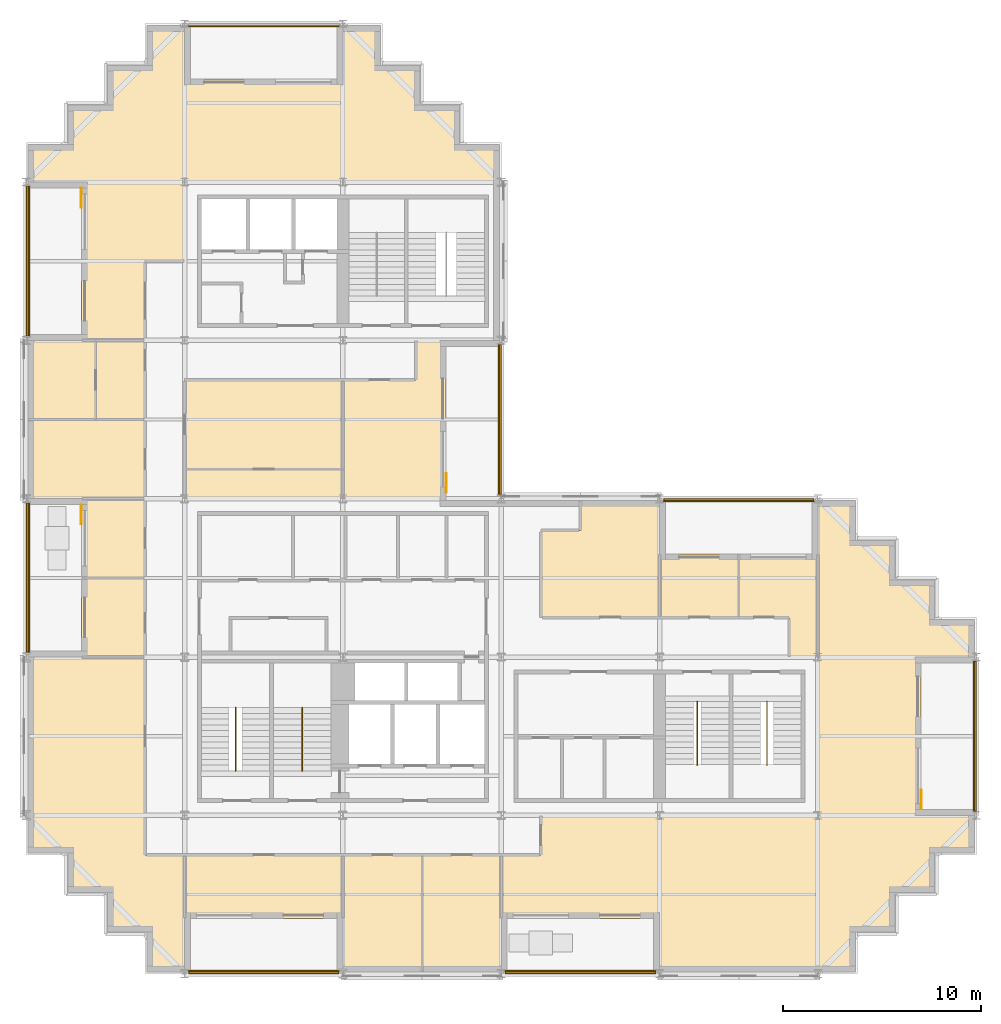
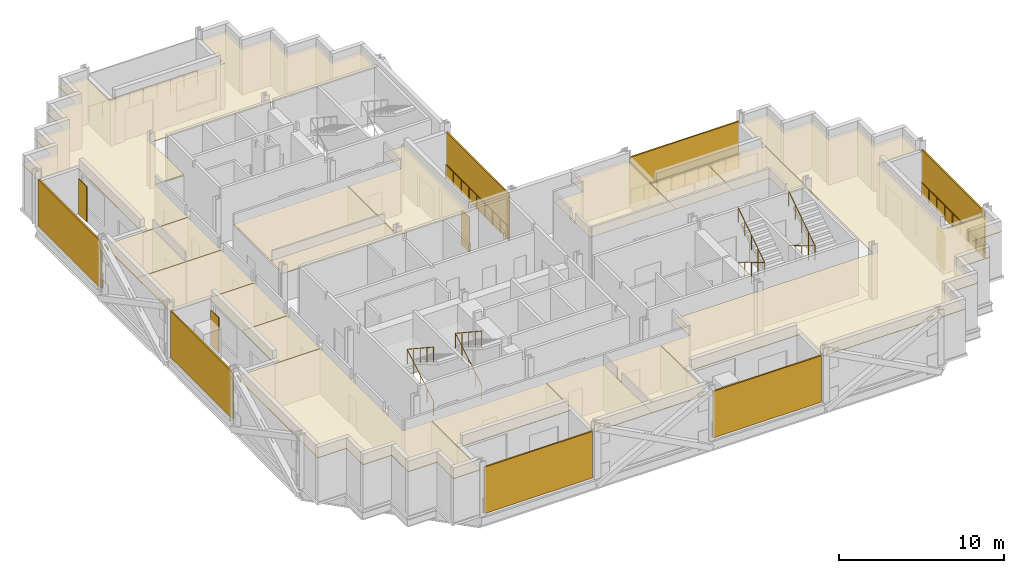
# One storey, part 10 of 12: 17 coverings, 12 railings, 11 shading devices.
"""IFC4 building model written with IfcOpenShell, lengths in metres."""

from ifc_helpers import new_model, si_unit, direction, frame, origin, origin_2d, place, context, subcontext, project, spatial, polyline, rectangle, circle, outline, extrude, material, layer, layer_set, type_object, element, save


model = new_model("IFC4")

# Units and contexts
model_context = context("Model", 3, precision=1e-05, world=origin(), true_north=direction((0.0, 1.0)))
body_context = subcontext(model_context, "Body", "Model", "MODEL_VIEW")
ifc_project = project(units=[si_unit("LENGTHUNIT", "METRE"), si_unit("AREAUNIT", "SQUARE_METRE"), si_unit("VOLUMEUNIT", "CUBIC_METRE"), si_unit("PLANEANGLEUNIT", "RADIAN"), si_unit("MASSUNIT", "GRAM", prefix="KILO")], contexts=[model_context])

# Site, building, storey
site_placement = place(None, origin())
site = spatial("IfcSite", under=ifc_project, at=site_placement, CompositionType="ELEMENT")
building_placement = place(site_placement, origin())
building = spatial("IfcBuilding", under=site, at=building_placement, Name="Immortelle Media Tower", CompositionType="ELEMENT")
storey_placement = place(building_placement, frame((0.0, 0.0, 149.39990234375)))
storey = spatial("IfcBuildingStorey", under=building, at=storey_placement, Name="L30", CompositionType="ELEMENT", Elevation=149.39990234375)

# Railings
ifc_material_1 = material(Name="Powder-coated aluminium fretwork panel, laminated glass backing", Category="aluminium")
railing_type_1 = type_object("IfcRailingType", Name="Fretwork balustrade 1100", PredefinedType="BALUSTRADE", material=ifc_material_1)
railing_1_placement = place(storey_placement, frame((8.20556640625, 0.139892578125, 0.0)))
element("IfcRailing", 1, at=railing_1_placement, inside=storey, type_object=railing_type_1, Name="Fretwork balustrade L30 S0", PredefinedType="BALUSTRADE", context=body_context, shape_type="SweptSolid", body=[
    extrude(circle(Radius=0.02490234375, at=origin_2d()), frame((0.0, 0.0, 1.0751953125), z_axis=(1.0, 0.0, 0.0), x_axis=(0.0, 1.0, 0.0)), (0.0, 0.0, 1.0), 7.58251953125),
    extrude(circle(Radius=0.02001953125, at=origin_2d()), origin(), (0.0, 0.0, 1.0), 1.050048828125),
    extrude(circle(Radius=0.02001953125, at=origin_2d()), frame((0.94775390625, 0.0, 0.0)), (0.0, 0.0, 1.0), 1.050048828125),
    extrude(circle(Radius=0.02001953125, at=origin_2d()), frame((1.8955078125, 0.0, 0.0)), (0.0, 0.0, 1.0), 1.050048828125),
    extrude(circle(Radius=0.02001953125, at=origin_2d()), frame((2.843505859375, 0.0, 0.0)), (0.0, 0.0, 1.0), 1.050048828125),
    extrude(circle(Radius=0.02001953125, at=origin_2d()), frame((3.791259765625, 0.0, 0.0)), (0.0, 0.0, 1.0), 1.050048828125),
    extrude(circle(Radius=0.02001953125, at=origin_2d()), frame((4.739013671875, 0.0, 0.0)), (0.0, 0.0, 1.0), 1.050048828125),
    extrude(circle(Radius=0.02001953125, at=origin_2d()), frame((5.68701171875, 0.0, 0.0)), (0.0, 0.0, 1.0), 1.050048828125),
    extrude(circle(Radius=0.02001953125, at=origin_2d()), frame((6.634765625, 0.0, 0.0)), (0.0, 0.0, 1.0), 1.050048828125),
    extrude(circle(Radius=0.02001953125, at=origin_2d()), frame((7.58251953125, 0.0, 0.0)), (0.0, 0.0, 1.0), 1.050048828125),
])
railing_2_placement = place(storey_placement, frame((24.20556640625, 0.139892578125, 0.0)))
element("IfcRailing", 2, at=railing_2_placement, inside=storey, type_object=railing_type_1, Name="Fretwork balustrade L30 S2", PredefinedType="BALUSTRADE", context=body_context, shape_type="SweptSolid", body=[
    extrude(circle(Radius=0.02490234375, at=origin_2d()), frame((0.0, 0.0, 1.0751953125), z_axis=(1.0, 0.0, 0.0), x_axis=(0.0, 1.0, 0.0)), (0.0, 0.0, 1.0), 7.5888671875),
    extrude(circle(Radius=0.02001953125, at=origin_2d()), origin(), (0.0, 0.0, 1.0), 1.050048828125),
    extrude(circle(Radius=0.02001953125, at=origin_2d()), frame((0.94873046875, 0.0, 0.0)), (0.0, 0.0, 1.0), 1.050048828125),
    extrude(circle(Radius=0.02001953125, at=origin_2d()), frame((1.897216796875, 0.0, 0.0)), (0.0, 0.0, 1.0), 1.050048828125),
    extrude(circle(Radius=0.02001953125, at=origin_2d()), frame((2.845703125, 0.0, 0.0)), (0.0, 0.0, 1.0), 1.050048828125),
    extrude(circle(Radius=0.02001953125, at=origin_2d()), frame((3.79443359375, 0.0, 0.0)), (0.0, 0.0, 1.0), 1.050048828125),
    extrude(circle(Radius=0.02001953125, at=origin_2d()), frame((4.7431640625, 0.0, 0.0)), (0.0, 0.0, 1.0), 1.050048828125),
    extrude(circle(Radius=0.02001953125, at=origin_2d()), frame((5.691650390625, 0.0, 0.0)), (0.0, 0.0, 1.0), 1.050048828125),
    extrude(circle(Radius=0.02001953125, at=origin_2d()), frame((6.64013671875, 0.0, 0.0)), (0.0, 0.0, 1.0), 1.050048828125),
    extrude(circle(Radius=0.02001953125, at=origin_2d()), frame((7.5888671875, 0.0, 0.0)), (0.0, 0.0, 1.0), 1.050048828125),
])
railing_3_placement = place(storey_placement, frame((47.860107421875, 8.20849609375, 0.0)))
element("IfcRailing", 3, at=railing_3_placement, inside=storey, type_object=railing_type_1, Name="Fretwork balustrade L30 E0", PredefinedType="BALUSTRADE", context=body_context, shape_type="SweptSolid", body=[
    extrude(circle(Radius=0.02490234375, at=origin_2d()), frame((0.0, 0.0, 1.0751953125), z_axis=(0.0, 1.0, 0.0), x_axis=(-1.0, 0.0, 0.0)), (0.0, 0.0, 1.0), 7.5830078125),
    extrude(circle(Radius=0.02001953125, at=origin_2d()), origin(), (0.0, 0.0, 1.0), 1.050048828125),
    extrude(circle(Radius=0.02001953125, at=origin_2d()), frame((0.0, 0.94775390625, 0.0)), (0.0, 0.0, 1.0), 1.050048828125),
    extrude(circle(Radius=0.02001953125, at=origin_2d()), frame((0.0, 1.895751953125, 0.0)), (0.0, 0.0, 1.0), 1.050048828125),
    extrude(circle(Radius=0.02001953125, at=origin_2d()), frame((0.0, 2.84375, 0.0)), (0.0, 0.0, 1.0), 1.050048828125),
    extrude(circle(Radius=0.02001953125, at=origin_2d()), frame((0.0, 3.79150390625, 0.0)), (0.0, 0.0, 1.0), 1.050048828125),
    extrude(circle(Radius=0.02001953125, at=origin_2d()), frame((0.0, 4.7392578125, 0.0)), (0.0, 0.0, 1.0), 1.050048828125),
    extrude(circle(Radius=0.02001953125, at=origin_2d()), frame((0.0, 5.687255859375, 0.0)), (0.0, 0.0, 1.0), 1.050048828125),
    extrude(circle(Radius=0.02001953125, at=origin_2d()), frame((0.0, 6.63525390625, 0.0)), (0.0, 0.0, 1.0), 1.050048828125),
    extrude(circle(Radius=0.02001953125, at=origin_2d()), frame((0.0, 7.5830078125, 0.0)), (0.0, 0.0, 1.0), 1.050048828125),
])
railing_4_placement = place(storey_placement, frame((39.797119140625, 23.860107421875, 0.0)))
element("IfcRailing", 4, at=railing_4_placement, inside=storey, type_object=railing_type_1, Name="Fretwork balustrade L30 N0", PredefinedType="BALUSTRADE", context=body_context, shape_type="SweptSolid", body=[
    extrude(circle(Radius=0.02490234375, at=origin_2d()), frame((0.0, 0.0, 1.0751953125), z_axis=(-1.0, 0.0, 0.0), x_axis=(0.0, -1.0, 0.0)), (0.0, 0.0, 1.0), 7.591552734375),
    extrude(circle(Radius=0.02001953125, at=origin_2d()), origin(), (0.0, 0.0, 1.0), 1.050048828125),
    extrude(circle(Radius=0.02001953125, at=origin_2d()), frame((-0.948974609375, 0.0, 0.0)), (0.0, 0.0, 1.0), 1.050048828125),
    extrude(circle(Radius=0.02001953125, at=origin_2d()), frame((-1.89794921875, 0.0, 0.0)), (0.0, 0.0, 1.0), 1.050048828125),
    extrude(circle(Radius=0.02001953125, at=origin_2d()), frame((-2.846923828125, 0.0, 0.0)), (0.0, 0.0, 1.0), 1.050048828125),
    extrude(circle(Radius=0.02001953125, at=origin_2d()), frame((-3.7958984375, 0.0, 0.0)), (0.0, 0.0, 1.0), 1.050048828125),
    extrude(circle(Radius=0.02001953125, at=origin_2d()), frame((-4.74462890625, 0.0, 0.0)), (0.0, 0.0, 1.0), 1.050048828125),
    extrude(circle(Radius=0.02001953125, at=origin_2d()), frame((-5.693603515625, 0.0, 0.0)), (0.0, 0.0, 1.0), 1.050048828125),
    extrude(circle(Radius=0.02001953125, at=origin_2d()), frame((-6.642578125, 0.0, 0.0)), (0.0, 0.0, 1.0), 1.050048828125),
    extrude(circle(Radius=0.02001953125, at=origin_2d()), frame((-7.591552734375, 0.0, 0.0)), (0.0, 0.0, 1.0), 1.050048828125),
])
railing_5_placement = place(storey_placement, frame((23.860107421875, 24.217041015625, 0.0)))
element("IfcRailing", 5, at=railing_5_placement, inside=storey, type_object=railing_type_1, Name="Fretwork balustrade L30 E0", PredefinedType="BALUSTRADE", context=body_context, shape_type="SweptSolid", body=[
    extrude(circle(Radius=0.02490234375, at=origin_2d()), frame((0.0, 0.0, 1.0751953125), z_axis=(0.0, 1.0, 0.0), x_axis=(-1.0, 0.0, 0.0)), (0.0, 0.0, 1.0), 7.58349609375),
    extrude(circle(Radius=0.02001953125, at=origin_2d()), origin(), (0.0, 0.0, 1.0), 1.050048828125),
    extrude(circle(Radius=0.02001953125, at=origin_2d()), frame((0.0, 0.947998046875, 0.0)), (0.0, 0.0, 1.0), 1.050048828125),
    extrude(circle(Radius=0.02001953125, at=origin_2d()), frame((0.0, 1.89599609375, 0.0)), (0.0, 0.0, 1.0), 1.050048828125),
    extrude(circle(Radius=0.02001953125, at=origin_2d()), frame((0.0, 2.84375, 0.0)), (0.0, 0.0, 1.0), 1.050048828125),
    extrude(circle(Radius=0.02001953125, at=origin_2d()), frame((0.0, 3.791748046875, 0.0)), (0.0, 0.0, 1.0), 1.050048828125),
    extrude(circle(Radius=0.02001953125, at=origin_2d()), frame((0.0, 4.73974609375, 0.0)), (0.0, 0.0, 1.0), 1.050048828125),
    extrude(circle(Radius=0.02001953125, at=origin_2d()), frame((0.0, 5.6875, 0.0)), (0.0, 0.0, 1.0), 1.050048828125),
    extrude(circle(Radius=0.02001953125, at=origin_2d()), frame((0.0, 6.635498046875, 0.0)), (0.0, 0.0, 1.0), 1.050048828125),
    extrude(circle(Radius=0.02001953125, at=origin_2d()), frame((0.0, 7.58349609375, 0.0)), (0.0, 0.0, 1.0), 1.050048828125),
])
railing_6_placement = place(storey_placement, frame((15.802978515625, 47.860107421875, 0.0)))
element("IfcRailing", 6, at=railing_6_placement, inside=storey, type_object=railing_type_1, Name="Fretwork balustrade L30 N0", PredefinedType="BALUSTRADE", context=body_context, shape_type="SweptSolid", body=[
    extrude(circle(Radius=0.02490234375, at=origin_2d()), frame((0.0, 0.0, 1.0751953125), z_axis=(-1.0, 0.0, 0.0), x_axis=(0.0, -1.0, 0.0)), (0.0, 0.0, 1.0), 7.60595703125),
    extrude(circle(Radius=0.02001953125, at=origin_2d()), origin(), (0.0, 0.0, 1.0), 1.050048828125),
    extrude(circle(Radius=0.02001953125, at=origin_2d()), frame((-0.95068359375, 0.0, 0.0)), (0.0, 0.0, 1.0), 1.050048828125),
    extrude(circle(Radius=0.02001953125, at=origin_2d()), frame((-1.9013671875, 0.0, 0.0)), (0.0, 0.0, 1.0), 1.050048828125),
    extrude(circle(Radius=0.02001953125, at=origin_2d()), frame((-2.852294921875, 0.0, 0.0)), (0.0, 0.0, 1.0), 1.050048828125),
    extrude(circle(Radius=0.02001953125, at=origin_2d()), frame((-3.802978515625, 0.0, 0.0)), (0.0, 0.0, 1.0), 1.050048828125),
    extrude(circle(Radius=0.02001953125, at=origin_2d()), frame((-4.753662109375, 0.0, 0.0)), (0.0, 0.0, 1.0), 1.050048828125),
    extrude(circle(Radius=0.02001953125, at=origin_2d()), frame((-5.70458984375, 0.0, 0.0)), (0.0, 0.0, 1.0), 1.050048828125),
    extrude(circle(Radius=0.02001953125, at=origin_2d()), frame((-6.6552734375, 0.0, 0.0)), (0.0, 0.0, 1.0), 1.050048828125),
    extrude(circle(Radius=0.02001953125, at=origin_2d()), frame((-7.60595703125, 0.0, 0.0)), (0.0, 0.0, 1.0), 1.050048828125),
])
railing_7_placement = place(storey_placement, frame((0.139892578125, 39.81201171875, 0.0)))
element("IfcRailing", 7, at=railing_7_placement, inside=storey, type_object=railing_type_1, Name="Fretwork balustrade L30 W0", PredefinedType="BALUSTRADE", context=body_context, shape_type="SweptSolid", body=[
    extrude(circle(Radius=0.02490234375, at=origin_2d()), frame((0.0, 0.0, 1.0751953125), z_axis=(0.0, -1.0, 0.0), x_axis=(1.0, 0.0, 0.0)), (0.0, 0.0, 1.0), 7.612548828125),
    extrude(circle(Radius=0.02001953125, at=origin_2d()), origin(), (0.0, 0.0, 1.0), 1.050048828125),
    extrude(circle(Radius=0.02001953125, at=origin_2d()), frame((0.0, -0.95166015625, 0.0)), (0.0, 0.0, 1.0), 1.050048828125),
    extrude(circle(Radius=0.02001953125, at=origin_2d()), frame((0.0, -1.903076171875, 0.0)), (0.0, 0.0, 1.0), 1.050048828125),
    extrude(circle(Radius=0.02001953125, at=origin_2d()), frame((0.0, -2.854736328125, 0.0)), (0.0, 0.0, 1.0), 1.050048828125),
    extrude(circle(Radius=0.02001953125, at=origin_2d()), frame((0.0, -3.80615234375, 0.0)), (0.0, 0.0, 1.0), 1.050048828125),
    extrude(circle(Radius=0.02001953125, at=origin_2d()), frame((0.0, -4.7578125, 0.0)), (0.0, 0.0, 1.0), 1.050048828125),
    extrude(circle(Radius=0.02001953125, at=origin_2d()), frame((0.0, -5.70947265625, 0.0)), (0.0, 0.0, 1.0), 1.050048828125),
    extrude(circle(Radius=0.02001953125, at=origin_2d()), frame((0.0, -6.660888671875, 0.0)), (0.0, 0.0, 1.0), 1.050048828125),
    extrude(circle(Radius=0.02001953125, at=origin_2d()), frame((0.0, -7.612548828125, 0.0)), (0.0, 0.0, 1.0), 1.050048828125),
])
railing_8_placement = place(storey_placement, frame((0.139892578125, 23.800537109375, 0.0)))
element("IfcRailing", 8, at=railing_8_placement, inside=storey, type_object=railing_type_1, Name="Fretwork balustrade L30 W2", PredefinedType="BALUSTRADE", context=body_context, shape_type="SweptSolid", body=[
    extrude(circle(Radius=0.02490234375, at=origin_2d()), frame((0.0, 0.0, 1.0751953125), z_axis=(0.0, -1.0, 0.0), x_axis=(1.0, 0.0, 0.0)), (0.0, 0.0, 1.0), 7.56298828125),
    extrude(circle(Radius=0.02001953125, at=origin_2d()), origin(), (0.0, 0.0, 1.0), 1.050048828125),
    extrude(circle(Radius=0.02001953125, at=origin_2d()), frame((0.0, -0.9453125, 0.0)), (0.0, 0.0, 1.0), 1.050048828125),
    extrude(circle(Radius=0.02001953125, at=origin_2d()), frame((0.0, -1.890625, 0.0)), (0.0, 0.0, 1.0), 1.050048828125),
    extrude(circle(Radius=0.02001953125, at=origin_2d()), frame((0.0, -2.836181640625, 0.0)), (0.0, 0.0, 1.0), 1.050048828125),
    extrude(circle(Radius=0.02001953125, at=origin_2d()), frame((0.0, -3.781494140625, 0.0)), (0.0, 0.0, 1.0), 1.050048828125),
    extrude(circle(Radius=0.02001953125, at=origin_2d()), frame((0.0, -4.726806640625, 0.0)), (0.0, 0.0, 1.0), 1.050048828125),
    extrude(circle(Radius=0.02001953125, at=origin_2d()), frame((0.0, -5.67236328125, 0.0)), (0.0, 0.0, 1.0), 1.050048828125),
    extrude(circle(Radius=0.02001953125, at=origin_2d()), frame((0.0, -6.61767578125, 0.0)), (0.0, 0.0, 1.0), 1.050048828125),
    extrude(circle(Radius=0.02001953125, at=origin_2d()), frame((0.0, -7.56298828125, 0.0)), (0.0, 0.0, 1.0), 1.050048828125),
])

# Shading devices
ifc_material_2 = material(Name="Pale aluminium louvre blades", Category="aluminium")
ifc_layer_1 = layer(ifc_material_2, 0.10009765625)
ifc_layer_set_1 = layer_set([ifc_layer_1], Name="Pale aluminium louvre blades")
shading_device_type_1 = type_object("IfcShadingDeviceType", Name="Jalousie screen 100", PredefinedType="JALOUSIE", material=ifc_layer_set_1)
shading_device_1_placement = place(storey_placement, frame((11.996826171875, 0.050048828125, 0.0), z_axis=(0.0, 0.0, 1.0), x_axis=(1.0, 0.0, 0.0)))
element("IfcShadingDevice", 9, at=shading_device_1_placement, inside=storey, type_object=shading_device_type_1, Name="Jalousie screen L30 S0", PredefinedType="JALOUSIE", context=body_context, shape_type="SweptSolid", body=[
    extrude(rectangle(XDim=7.58251953125, YDim=0.10009765625, at=origin_2d()), origin(), (0.0, 0.0, 1.0), 3.43798828125),
])
shading_device_2_placement = place(storey_placement, frame((28.0, 0.050048828125, 0.0), z_axis=(0.0, 0.0, 1.0), x_axis=(1.0, 0.0, 0.0)))
element("IfcShadingDevice", 10, at=shading_device_2_placement, inside=storey, type_object=shading_device_type_1, Name="Jalousie screen L30 S2", PredefinedType="JALOUSIE", context=body_context, shape_type="SweptSolid", body=[
    extrude(rectangle(XDim=7.589111328125, YDim=0.10009765625, at=origin_2d()), origin(), (0.0, 0.0, 1.0), 3.43798828125),
])
shading_device_3_placement = place(storey_placement, frame((47.949951171875, 12.0, 0.0), z_axis=(0.0, 0.0, 1.0), x_axis=(0.0, 1.0, 0.0)))
element("IfcShadingDevice", 11, at=shading_device_3_placement, inside=storey, type_object=shading_device_type_1, Name="Jalousie screen L30 E0", PredefinedType="JALOUSIE", context=body_context, shape_type="SweptSolid", body=[
    extrude(rectangle(XDim=7.5830078125, YDim=0.10009765625, at=origin_2d()), origin(), (0.0, 0.0, 1.0), 3.43798828125),
])
shading_device_4_placement = place(storey_placement, frame((36.001220703125, 23.949951171875, 0.0), z_axis=(0.0, 0.0, 1.0), x_axis=(-1.0, 0.0, 0.0)))
element("IfcShadingDevice", 12, at=shading_device_4_placement, inside=storey, type_object=shading_device_type_1, Name="Jalousie screen L30 N0", PredefinedType="JALOUSIE", context=body_context, shape_type="SweptSolid", body=[
    extrude(rectangle(XDim=7.591552734375, YDim=0.10009765625, at=origin_2d()), origin(), (0.0, 0.0, 1.0), 3.43798828125),
])
shading_device_5_placement = place(storey_placement, frame((23.949951171875, 28.0087890625, 0.0), z_axis=(0.0, 0.0, 1.0), x_axis=(0.0, 1.0, 0.0)))
element("IfcShadingDevice", 13, at=shading_device_5_placement, inside=storey, type_object=shading_device_type_1, Name="Jalousie screen L30 E0", PredefinedType="JALOUSIE", context=body_context, shape_type="SweptSolid", body=[
    extrude(rectangle(XDim=7.58349609375, YDim=0.10009765625, at=origin_2d()), origin(), (0.0, 0.0, 1.0), 3.43798828125),
])
shading_device_6_placement = place(storey_placement, frame((0.050048828125, 36.005859375, 0.0), z_axis=(0.0, 0.0, 1.0), x_axis=(0.0, -1.0, 0.0)))
element("IfcShadingDevice", 14, at=shading_device_6_placement, inside=storey, type_object=shading_device_type_1, Name="Jalousie screen L30 W0", PredefinedType="JALOUSIE", context=body_context, shape_type="SweptSolid", body=[
    extrude(rectangle(XDim=7.612548828125, YDim=0.10009765625, at=origin_2d()), origin(), (0.0, 0.0, 1.0), 3.43798828125),
])
shading_device_7_placement = place(storey_placement, frame((0.050048828125, 20.01904296875, 0.0), z_axis=(0.0, 0.0, 1.0), x_axis=(0.0, -1.0, 0.0)))
element("IfcShadingDevice", 15, at=shading_device_7_placement, inside=storey, type_object=shading_device_type_1, Name="Jalousie screen L30 W2", PredefinedType="JALOUSIE", context=body_context, shape_type="SweptSolid", body=[
    extrude(rectangle(XDim=7.56298828125, YDim=0.10009765625, at=origin_2d()), origin(), (0.0, 0.0, 1.0), 3.43798828125),
])
ifc_material_3 = material(Name="Pale aluminium louvre blades in a folding frame", Category="aluminium")
ifc_layer_2 = layer(ifc_material_3, 0.050048828125)
ifc_layer_set_2 = layer_set([ifc_layer_2], Name="Pale aluminium louvre blades in a folding frame")
shading_device_type_2 = type_object("IfcShadingDeviceType", Name="Louvred loggia shutter", PredefinedType="SHUTTER", material=ifc_layer_set_2)
for number, where, z_axis, x_axis, name in (
    (16, (45.22509765625, 8.800048828125, 0.0), (0.0, 0.0, 1.0), (0.0, 1.0, 0.0), "Loggia shutter L30 E0"),
    (17, (21.22509765625, 24.800048828125, 0.0), (0.0, 0.0, 1.0), (0.0, 1.0, 0.0), "Loggia shutter L30 E0"),
    (18, (2.77490234375, 39.199951171875, 0.0), (0.0, 0.0, 1.0), (0.0, -1.0, 0.0), "Loggia shutter L30 W0"),
    (19, (2.77490234375, 23.199951171875, 0.0), (0.0, 0.0, 1.0), (0.0, -1.0, 0.0), "Loggia shutter L30 W2"),
):
    element("IfcShadingDevice", number, at=place(storey_placement, frame(where, z_axis=z_axis, x_axis=x_axis)), inside=storey, type_object=shading_device_type_2, Name=name, PredefinedType="SHUTTER", context=body_context, shape_type="SweptSolid", body=[
        extrude(rectangle(XDim=1.0, YDim=0.050048828125, at=origin_2d()), origin(), (0.0, 0.0, 1.0), 2.60009765625),
    ])

# Railings
ifc_material_4 = material(Name="Stainless steel AISI 316", Category="steel")
railing_type_2 = type_object("IfcRailingType", Name="Stair guard 1100", PredefinedType="GUARDRAIL", material=ifc_material_4)
for number, where, name in (
    (20, (10.574951171875, 10.25, 0.175048828125), "Stair guard SW1"),
    (21, (13.949951171875, 10.25, 0.175048828125), "Stair guard SW2"),
):
    element("IfcRailing", number, at=place(storey_placement, frame(where)), inside=storey, type_object=railing_type_2, Name=name, PredefinedType="GUARDRAIL", context=body_context, shape_type="SweptSolid", body=[
        extrude(circle(Radius=0.02392578125, at=origin_2d()), frame((0.0, 0.0, 1.076171875), z_axis=(0.0, 0.856177665481, 0.516681531633), x_axis=(-1.0, 0.0, 0.0)), (0.0, 0.0, 1.0), 3.725830078125),
        extrude(circle(Radius=0.02392578125, at=origin_2d()), frame((0.0, 3.18994140625, 3.0009765625), z_axis=(0.0, -0.835242474824, 0.549881812983), x_axis=(1.0, 0.0, 0.0)), (0.0, 0.0, 1.0), 3.819091796875),
        extrude(circle(Radius=0.02099609375, at=origin_2d()), origin(), (0.0, 0.0, 1.0), 1.052001953125),
        extrude(circle(Radius=0.02099609375, at=origin_2d()), frame((0.0, 0.79736328125, 0.481201171875)), (0.0, 0.0, 1.0), 1.052001953125),
        extrude(circle(Radius=0.02099609375, at=origin_2d()), frame((0.0, 1.594970703125, 0.96240234375)), (0.0, 0.0, 1.0), 1.052001953125),
        extrude(circle(Radius=0.02099609375, at=origin_2d()), frame((0.0, 2.392578125, 1.44384765625)), (0.0, 0.0, 1.0), 1.052001953125),
        extrude(circle(Radius=0.02099609375, at=origin_2d()), frame((0.0, 3.18994140625, 1.925048828125)), (0.0, 0.0, 1.0), 1.052001953125),
        extrude(circle(Radius=0.02099609375, at=origin_2d()), frame((0.0, 2.392578125, 2.4501953125)), (0.0, 0.0, 1.0), 1.052001953125),
        extrude(circle(Radius=0.02099609375, at=origin_2d()), frame((0.0, 1.594970703125, 2.97509765625)), (0.0, 0.0, 1.0), 1.052001953125),
        extrude(circle(Radius=0.02099609375, at=origin_2d()), frame((0.0, 0.79736328125, 3.5)), (0.0, 0.0, 1.0), 1.052001953125),
        extrude(circle(Radius=0.02099609375, at=origin_2d()), frame((0.0, 0.0, 4.025146484375)), (0.0, 0.0, 1.0), 1.052001953125),
    ])
for number, where, name in (
    (22, (33.89990234375, 13.75, 0.175048828125), "Stair guard SE1"),
    (23, (37.425048828125, 13.75, 0.175048828125), "Stair guard SE2"),
):
    element("IfcRailing", number, at=place(storey_placement, frame(where)), inside=storey, type_object=railing_type_2, Name=name, PredefinedType="GUARDRAIL", context=body_context, shape_type="SweptSolid", body=[
        extrude(circle(Radius=0.02392578125, at=origin_2d()), frame((0.0, 0.0, 1.076171875), z_axis=(0.0, -0.856177665481, 0.516681531633), x_axis=(1.0, 0.0, 0.0)), (0.0, 0.0, 1.0), 3.725830078125),
        extrude(circle(Radius=0.02392578125, at=origin_2d()), frame((0.0, -3.18994140625, 3.0009765625), z_axis=(0.0, 0.835242474824, 0.549881812983), x_axis=(-1.0, 0.0, 0.0)), (0.0, 0.0, 1.0), 3.819091796875),
        extrude(circle(Radius=0.02099609375, at=origin_2d()), origin(), (0.0, 0.0, 1.0), 1.052001953125),
        extrude(circle(Radius=0.02099609375, at=origin_2d()), frame((0.0, -0.79736328125, 0.481201171875)), (0.0, 0.0, 1.0), 1.052001953125),
        extrude(circle(Radius=0.02099609375, at=origin_2d()), frame((0.0, -1.594970703125, 0.96240234375)), (0.0, 0.0, 1.0), 1.052001953125),
        extrude(circle(Radius=0.02099609375, at=origin_2d()), frame((0.0, -2.392578125, 1.44384765625)), (0.0, 0.0, 1.0), 1.052001953125),
        extrude(circle(Radius=0.02099609375, at=origin_2d()), frame((0.0, -3.18994140625, 1.925048828125)), (0.0, 0.0, 1.0), 1.052001953125),
        extrude(circle(Radius=0.02099609375, at=origin_2d()), frame((0.0, -2.392578125, 2.4501953125)), (0.0, 0.0, 1.0), 1.052001953125),
        extrude(circle(Radius=0.02099609375, at=origin_2d()), frame((0.0, -1.594970703125, 2.97509765625)), (0.0, 0.0, 1.0), 1.052001953125),
        extrude(circle(Radius=0.02099609375, at=origin_2d()), frame((0.0, -0.79736328125, 3.5)), (0.0, 0.0, 1.0), 1.052001953125),
        extrude(circle(Radius=0.02099609375, at=origin_2d()), frame((0.0, 0.0, 4.025146484375)), (0.0, 0.0, 1.0), 1.052001953125),
    ])

# Coverings
ifc_material_5 = material(Name="Mineral fibre tile ceiling")
ifc_layer_3 = layer(ifc_material_5, 0.050048828125)
ifc_layer_set_3 = layer_set([ifc_layer_3], Name="Mineral fibre tile ceiling")
covering_type = type_object("IfcCoveringType", Name="Suspended ceiling 50", PredefinedType="CEILING", material=ifc_layer_set_3)
covering_1_placement = place(storey_placement, frame((0.0, 0.0, 3.238037109375)))
element("IfcCovering", 24, at=covering_1_placement, inside=storey, type_object=covering_type, Name="Ceiling L30-001", PredefinedType="CEILING", context=body_context, shape_type="SweptSolid", body=[
    extrude(outline(polyline([(16.0, 2.800048828125), (16.0, 6.0), (20.0, 6.0), (20.0, 0.10009765625), (16.0, 0.10009765625), (16.0, 2.800048828125)])), origin(), (0.0, 0.0, 1.0), 0.050048828125),
])
covering_2_placement = place(storey_placement, frame((0.0, 0.0, 3.238037109375)))
element("IfcCovering", 25, at=covering_2_placement, inside=storey, type_object=covering_type, Name="Ceiling L30-002", PredefinedType="CEILING", context=body_context, shape_type="SweptSolid", body=[
    extrude(outline(polyline([(24.0, 6.0), (24.0, 2.800048828125), (24.0, 0.10009765625), (20.0, 0.10009765625), (20.0, 6.0), (24.0, 6.0)])), origin(), (0.0, 0.0, 1.0), 0.050048828125),
])
covering_3_placement = place(storey_placement, frame((0.0, 0.0, 3.238037109375)))
element("IfcCovering", 26, at=covering_3_placement, inside=storey, type_object=covering_type, Name="Ceiling L30-003", PredefinedType="CEILING", context=body_context, shape_type="SweptSolid", body=[
    extrude(outline(polyline([(8.0, 2.800048828125), (8.0, 6.0), (16.0, 6.0), (16.0, 2.800048828125), (8.0, 2.800048828125)])), origin(), (0.0, 0.0, 1.0), 0.050048828125),
])
covering_4_placement = place(storey_placement, frame((0.0, 0.0, 3.238037109375)))
element("IfcCovering", 27, at=covering_4_placement, inside=storey, type_object=covering_type, Name="Ceiling L30-004", PredefinedType="CEILING", context=body_context, shape_type="SweptSolid", body=[
    extrude(outline(polyline([(26.0, 6.0), (26.0, 8.0), (32.0, 8.0), (40.0, 8.0), (40.0, 16.0), (40.0, 21.199951171875), (40.0, 23.89990234375), (41.89990234375, 23.89990234375), (41.89990234375, 21.89990234375), (43.89990234375, 21.89990234375), (43.89990234375, 19.89990234375), (45.89990234375, 19.89990234375), (45.89990234375, 17.89990234375), (47.89990234375, 17.89990234375), (47.89990234375, 16.0), (45.199951171875, 16.0), (45.199951171875, 8.0), (47.89990234375, 8.0), (47.89990234375, 6.10009765625), (45.89990234375, 6.10009765625), (45.89990234375, 4.10009765625), (43.89990234375, 4.10009765625), (43.89990234375, 2.10009765625), (41.89990234375, 2.10009765625), (41.89990234375, 0.10009765625), (40.0, 0.10009765625), (32.0, 0.10009765625), (32.0, 2.800048828125), (24.0, 2.800048828125), (24.0, 6.0), (26.0, 6.0)])), origin(), (0.0, 0.0, 1.0), 0.050048828125),
])
covering_5_placement = place(storey_placement, frame((0.0, 0.0, 3.238037109375)))
element("IfcCovering", 28, at=covering_5_placement, inside=storey, type_object=covering_type, Name="Ceiling L30-005", PredefinedType="CEILING", context=body_context, shape_type="SweptSolid", body=[
    extrude(outline(polyline([(6.10009765625, 2.10009765625), (4.10009765625, 2.10009765625), (4.10009765625, 4.10009765625), (2.10009765625, 4.10009765625), (2.10009765625, 6.10009765625), (0.10009765625, 6.10009765625), (0.10009765625, 8.0), (0.10009765625, 16.0), (2.800048828125, 16.0), (6.0, 16.0), (6.0, 8.0), (6.0, 6.0), (8.0, 6.0), (8.0, 2.800048828125), (8.0, 0.10009765625), (6.10009765625, 0.10009765625), (6.10009765625, 2.10009765625)])), origin(), (0.0, 0.0, 1.0), 0.050048828125),
])
covering_6_placement = place(storey_placement, frame((0.0, 0.0, 3.238037109375)))
element("IfcCovering", 29, at=covering_6_placement, inside=storey, type_object=covering_type, Name="Ceiling L30-006", PredefinedType="CEILING", context=body_context, shape_type="SweptSolid", body=[
    extrude(outline(polyline([(32.0, 18.0), (32.0, 21.199951171875), (36.0, 21.199951171875), (36.0, 18.0), (32.0, 18.0)])), origin(), (0.0, 0.0, 1.0), 0.050048828125),
])
covering_7_placement = place(storey_placement, frame((0.0, 0.0, 3.238037109375)))
element("IfcCovering", 30, at=covering_7_placement, inside=storey, type_object=covering_type, Name="Ceiling L30-007", PredefinedType="CEILING", context=body_context, shape_type="SweptSolid", body=[
    extrude(outline(polyline([(38.550048828125, 18.0), (36.0, 18.0), (36.0, 21.199951171875), (40.0, 21.199951171875), (40.0, 16.0), (38.550048828125, 16.0), (38.550048828125, 18.0)])), origin(), (0.0, 0.0, 1.0), 0.050048828125),
])
covering_8_placement = place(storey_placement, frame((0.0, 0.0, 3.238037109375)))
element("IfcCovering", 31, at=covering_8_placement, inside=storey, type_object=covering_type, Name="Ceiling L30-008", PredefinedType="CEILING", context=body_context, shape_type="SweptSolid", body=[
    extrude(outline(polyline([(6.0, 16.0), (2.800048828125, 16.0), (2.800048828125, 20.0), (6.0, 20.0), (6.0, 19.449951171875), (6.0, 16.0)])), origin(), (0.0, 0.0, 1.0), 0.050048828125),
])
covering_9_placement = place(storey_placement, frame((0.0, 0.0, 3.238037109375)))
element("IfcCovering", 32, at=covering_9_placement, inside=storey, type_object=covering_type, Name="Ceiling L30-009", PredefinedType="CEILING", context=body_context, shape_type="SweptSolid", body=[
    extrude(outline(polyline([(2.800048828125, 24.0), (6.0, 24.0), (6.0, 20.0), (2.800048828125, 20.0), (2.800048828125, 24.0)])), origin(), (0.0, 0.0, 1.0), 0.050048828125),
])
covering_10_placement = place(storey_placement, frame((0.0, 0.0, 3.238037109375)))
element("IfcCovering", 33, at=covering_10_placement, inside=storey, type_object=covering_type, Name="Ceiling L30-010", PredefinedType="CEILING", context=body_context, shape_type="SweptSolid", body=[
    extrude(outline(polyline([(27.0, 18.0), (26.0, 18.0), (26.0, 19.449951171875), (26.0, 22.39990234375), (28.0, 22.39990234375), (28.0, 23.89990234375), (32.0, 23.89990234375), (32.0, 21.199951171875), (32.0, 18.0), (27.0, 18.0)])), origin(), (0.0, 0.0, 1.0), 0.050048828125),
])
covering_11_placement = place(storey_placement, frame((0.0, 0.0, 3.238037109375)))
element("IfcCovering", 34, at=covering_11_placement, inside=storey, type_object=covering_type, Name="Ceiling L30-011", PredefinedType="CEILING", context=body_context, shape_type="SweptSolid", body=[
    extrude(outline(polyline([(8.0, 30.0), (12.199951171875, 30.0), (12.39990234375, 30.0), (16.0, 30.0), (16.0, 25.5), (8.0, 25.5), (8.0, 30.0)])), origin(), (0.0, 0.0, 1.0), 0.050048828125),
])
covering_12_placement = place(storey_placement, frame((0.0, 0.0, 3.238037109375)))
element("IfcCovering", 35, at=covering_12_placement, inside=storey, type_object=covering_type, Name="Ceiling L30-012", PredefinedType="CEILING", context=body_context, shape_type="SweptSolid", body=[
    extrude(outline(polyline([(8.0, 25.5), (16.0, 25.5), (16.0, 24.0), (8.0, 24.0), (8.0, 25.5)])), origin(), (0.0, 0.0, 1.0), 0.050048828125),
])
covering_13_placement = place(storey_placement, frame((0.0, 0.0, 3.238037109375)))
element("IfcCovering", 36, at=covering_13_placement, inside=storey, type_object=covering_type, Name="Ceiling L30-013", PredefinedType="CEILING", context=body_context, shape_type="SweptSolid", body=[
    extrude(outline(polyline([(16.0, 24.0), (16.0, 30.0), (19.699951171875, 30.0), (19.699951171875, 32.0), (21.199951171875, 32.0), (21.199951171875, 24.0), (16.0, 24.0)])), origin(), (0.0, 0.0, 1.0), 0.050048828125),
])
covering_14_placement = place(storey_placement, frame((0.0, 0.0, 3.238037109375)))
element("IfcCovering", 37, at=covering_14_placement, inside=storey, type_object=covering_type, Name="Ceiling L30-014", PredefinedType="CEILING", context=body_context, shape_type="SweptSolid", body=[
    extrude(outline(polyline([(6.0, 24.0), (2.800048828125, 24.0), (0.10009765625, 24.0), (0.10009765625, 28.0), (6.0, 28.0), (6.0, 24.0)])), origin(), (0.0, 0.0, 1.0), 0.050048828125),
])
covering_15_placement = place(storey_placement, frame((0.0, 0.0, 3.238037109375)))
element("IfcCovering", 38, at=covering_15_placement, inside=storey, type_object=covering_type, Name="Ceiling L30-015", PredefinedType="CEILING", context=body_context, shape_type="SweptSolid", body=[
    extrude(outline(polyline([(3.5, 28.0), (3.5, 32.0), (6.0, 32.0), (6.0, 30.0), (6.0, 28.0), (3.5, 28.0)])), origin(), (0.0, 0.0, 1.0), 0.050048828125),
])
covering_16_placement = place(storey_placement, frame((0.0, 0.0, 3.238037109375)))
element("IfcCovering", 39, at=covering_16_placement, inside=storey, type_object=covering_type, Name="Ceiling L30-016", PredefinedType="CEILING", context=body_context, shape_type="SweptSolid", body=[
    extrude(outline(polyline([(0.10009765625, 28.0), (0.10009765625, 32.0), (2.800048828125, 32.0), (3.5, 32.0), (3.5, 28.0), (0.10009765625, 28.0)])), origin(), (0.0, 0.0, 1.0), 0.050048828125),
])
covering_17_placement = place(storey_placement, frame((0.0, 0.0, 3.238037109375)))
element("IfcCovering", 40, at=covering_17_placement, inside=storey, type_object=covering_type, Name="Ceiling L30-017", PredefinedType="CEILING", context=body_context, shape_type="SweptSolid", body=[
    extrude(outline(polyline([(2.800048828125, 40.0), (0.10009765625, 40.0), (0.10009765625, 41.89990234375), (2.10009765625, 41.89990234375), (2.10009765625, 43.89990234375), (4.10009765625, 43.89990234375), (4.10009765625, 45.89990234375), (6.10009765625, 45.89990234375), (6.10009765625, 47.89990234375), (8.0, 47.89990234375), (8.0, 45.199951171875), (16.0, 45.199951171875), (16.0, 47.89990234375), (17.89990234375, 47.89990234375), (17.89990234375, 45.89990234375), (19.89990234375, 45.89990234375), (19.89990234375, 43.89990234375), (21.89990234375, 43.89990234375), (21.89990234375, 41.89990234375), (23.89990234375, 41.89990234375), (23.89990234375, 40.0), (16.0, 40.0), (8.0, 40.0), (8.0, 36.0), (6.0, 36.0), (6.0, 32.0), (2.800048828125, 32.0), (2.800048828125, 40.0)])), origin(), (0.0, 0.0, 1.0), 0.050048828125),
])

save(model, "model.ifc")
